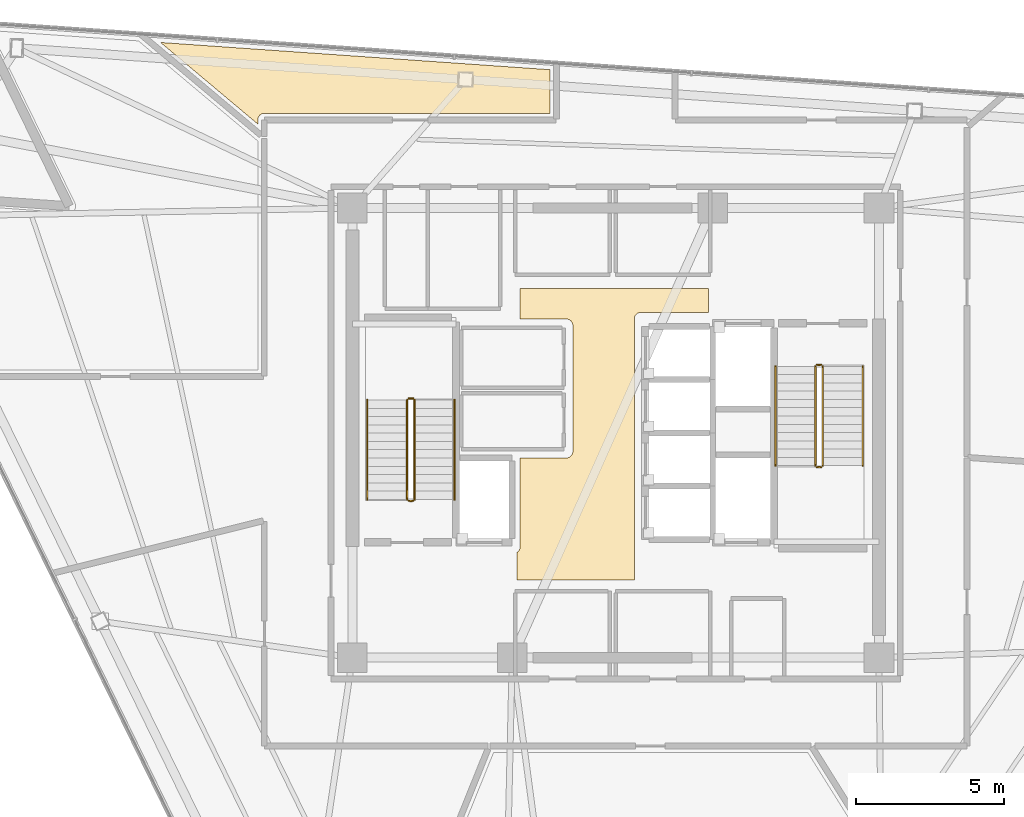
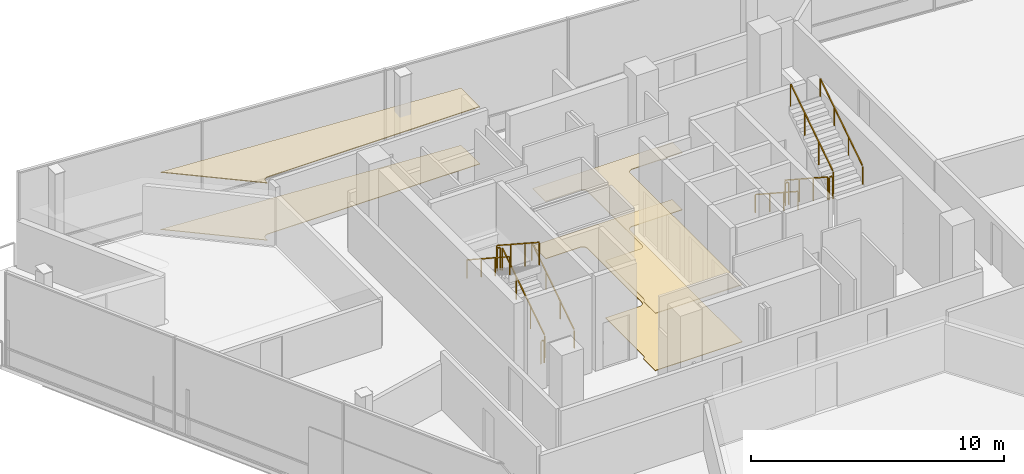
# One storey, part 13 of 13: 12 railings, 4 coverings.
"""IFC4 building model written with IfcOpenShell, lengths in metres."""

from ifc_helpers import new_model, si_unit, direction, frame, origin, origin_2d, place, context, subcontext, project, spatial, polyline, rectangle, outline, extrude, material, layer, layer_set, type_object, element, save


model = new_model("IFC4")

# Units and contexts
model_context = context("Model", 3, precision=1e-05, world=origin(), true_north=direction((0.0, 1.0)))
body_context = subcontext(model_context, "Body", "Model", "MODEL_VIEW")
ifc_project = project(units=[si_unit("LENGTHUNIT", "METRE"), si_unit("AREAUNIT", "SQUARE_METRE"), si_unit("VOLUMEUNIT", "CUBIC_METRE"), si_unit("PLANEANGLEUNIT", "RADIAN"), si_unit("MASSUNIT", "GRAM", prefix="KILO")], contexts=[model_context])

# Site, building, storey
site_placement = place(None, origin())
site = spatial("IfcSite", under=ifc_project, at=site_placement, CompositionType="ELEMENT")
building_placement = place(site_placement, origin())
building = spatial("IfcBuilding", under=site, at=building_placement, Name="Tharavind Bronze Gate", CompositionType="ELEMENT")
storey_placement = place(building_placement, frame((0.0, 0.0, 248.64990234375)))
storey = spatial("IfcBuildingStorey", under=building, at=storey_placement, Name="L64", CompositionType="ELEMENT", Elevation=248.64990234375)

# Coverings
ifc_material_1 = material(Name="Perforated Bronze Acoustic Panel", Category="bronze")
ifc_layer_1 = layer(ifc_material_1, 0.044921875)
ifc_layer_set_1 = layer_set([ifc_layer_1], Name="Perforated Bronze Acoustic Panel")
covering_type_1 = type_object("IfcCoveringType", Name="ACOUSTIC BRONZE BAFFLE CEILING", PredefinedType="CEILING", material=ifc_layer_set_1)
covering_1_placement = place(storey_placement, frame((0.0, 0.0, 2.75)))
element("IfcCovering", 1, at=covering_1_placement, inside=storey, type_object=covering_type_1, Name="L64-C-LL suspended ceiling", PredefinedType="CEILING", context=body_context, shape_type="SweptSolid", body=[
    extrude(outline(polyline([(-3.330078125, -4.97998046875), (0.6298828125, -4.97998046875), (0.6298828125, 3.85009765625), (0.631103515625, 3.87158203125), (0.63427734375, 3.892822265625), (0.639404296875, 3.913818359375), (0.646728515625, 3.93408203125), (0.656005859375, 3.95361328125), (0.6669921875, 3.97216796875), (0.679931640625, 3.989501953125), (0.6943359375, 4.005615234375), (0.71044921875, 4.02001953125), (0.727783203125, 4.032958984375), (0.746337890625, 4.0439453125), (0.765869140625, 4.05322265625), (0.7861328125, 4.060546875), (0.80712890625, 4.06591796875), (0.828369140625, 4.06884765625), (0.85009765625, 4.070068359375), (3.1298828125, 4.070068359375), (3.1298828125, 4.8798828125), (-3.22998046875, 4.8798828125), (-3.22998046875, 3.85009765625), (-1.669921875, 3.85009765625), (-1.6484375, 3.848876953125), (-1.627197265625, 3.845703125), (-1.606201171875, 3.840576171875), (-1.585693359375, 3.833251953125), (-1.56640625, 3.823974609375), (-1.5478515625, 3.81298828125), (-1.530517578125, 3.800048828125), (-1.514404296875, 3.78564453125), (-1.5, 3.76953125), (-1.487060546875, 3.752197265625), (-1.47607421875, 3.733642578125), (-1.466796875, 3.714111328125), (-1.45947265625, 3.69384765625), (-1.4541015625, 3.6728515625), (-1.451171875, 3.651611328125), (-1.449951171875, 3.6298828125), (-1.449951171875, 1.43994140625), (-1.450439453125, 1.429931640625), (-1.449951171875, 1.419921875), (-1.449951171875, -0.6298828125), (-1.451171875, -0.651611328125), (-1.4541015625, -0.6728515625), (-1.45947265625, -0.69384765625), (-1.466796875, -0.714111328125), (-1.47607421875, -0.733642578125), (-1.487060546875, -0.752197265625), (-1.5, -0.76953125), (-1.514404296875, -0.78564453125), (-1.530517578125, -0.800048828125), (-1.5478515625, -0.81298828125), (-1.56640625, -0.823974609375), (-1.585693359375, -0.833251953125), (-1.606201171875, -0.840576171875), (-1.627197265625, -0.845703125), (-1.6484375, -0.848876953125), (-1.669921875, -0.85009765625), (-3.22998046875, -0.85009765625), (-3.22998046875, -3.85009765625), (-3.231201171875, -3.87158203125), (-3.234130859375, -3.892822265625), (-3.239501953125, -3.913818359375), (-3.24658203125, -3.93408203125), (-3.256103515625, -3.95361328125), (-3.26708984375, -3.97216796875), (-3.27978515625, -3.989501953125), (-3.29443359375, -4.005615234375), (-3.310302734375, -4.02001953125), (-3.327880859375, -4.032958984375), (-3.330078125, -4.0341796875), (-3.330078125, -4.97998046875)])), origin(), (0.0, 0.0, 1.0), 0.03515625),
])
covering_2_placement = place(storey_placement, frame((0.0, 0.0, 2.75)))
element("IfcCovering", 2, at=covering_2_placement, inside=storey, type_object=covering_type_1, Name="L64-RM-02 suspended ceiling", PredefinedType="CEILING", context=body_context, shape_type="SweptSolid", body=[
    extrude(outline(polyline([(-12.10009765625, 10.440185546875), (-12.10009765625, 10.579345703125), (-12.099609375, 10.590087890625), (-12.099609375, 10.5908203125), (-12.09765625, 10.6123046875), (-12.093505859375, 10.63330078125), (-12.087158203125, 10.654052734375), (-12.078857421875, 10.674072265625), (-12.068603515625, 10.693115234375), (-12.056640625, 10.7109375), (-12.04296875, 10.727783203125), (-12.027587890625, 10.742919921875), (-12.010986328125, 10.756591796875), (-11.9931640625, 10.768798828125), (-11.97412109375, 10.77880859375), (-11.9541015625, 10.787109375), (-11.933349609375, 10.79345703125), (-11.912353515625, 10.797607421875), (-11.890869140625, 10.7998046875), (-11.89013671875, 10.7998046875), (-11.87939453125, 10.800048828125), (-2.219970703125, 10.800048828125), (-2.219970703125, 12.276611328125), (-15.385498046875, 13.197021484375), (-12.10009765625, 10.440185546875)])), origin(), (0.0, 0.0, 1.0), 0.03515625),
])
ifc_material_2 = material(Name="Engineered Oak & Carpet Tile", Category="wood")
ifc_layer_2 = layer(ifc_material_2, 0.02490234375)
ifc_layer_set_2 = layer_set([ifc_layer_2], Name="Engineered Oak & Carpet Tile")
covering_type_2 = type_object("IfcCoveringType", Name="ENGINEERED TIMBER FLOORING", PredefinedType="FLOORING", material=ifc_layer_set_2)
covering_3_placement = place(storey_placement, origin())
element("IfcCovering", 3, at=covering_3_placement, inside=storey, type_object=covering_type_2, Name="L64-RM-02 floor finish", PredefinedType="FLOORING", context=body_context, shape_type="SweptSolid", body=[
    extrude(outline(polyline([(-12.10009765625, 10.440185546875), (-12.10009765625, 10.579345703125), (-12.099609375, 10.590087890625), (-12.099609375, 10.5908203125), (-12.09765625, 10.6123046875), (-12.093505859375, 10.63330078125), (-12.087158203125, 10.654052734375), (-12.078857421875, 10.674072265625), (-12.068603515625, 10.693115234375), (-12.056640625, 10.7109375), (-12.04296875, 10.727783203125), (-12.027587890625, 10.742919921875), (-12.010986328125, 10.756591796875), (-11.9931640625, 10.768798828125), (-11.97412109375, 10.77880859375), (-11.9541015625, 10.787109375), (-11.933349609375, 10.79345703125), (-11.912353515625, 10.797607421875), (-11.890869140625, 10.7998046875), (-11.89013671875, 10.7998046875), (-11.87939453125, 10.800048828125), (-2.219970703125, 10.800048828125), (-2.219970703125, 12.276611328125), (-15.385498046875, 13.197021484375), (-12.10009765625, 10.440185546875)])), origin(), (0.0, 0.0, 1.0), 0.025146484375),
])
ifc_material_3 = material(Name="Honed Travertine Limestone", Category="masonry")
ifc_layer_3 = layer(ifc_material_3, 0.030029296875)
ifc_layer_set_3 = layer_set([ifc_layer_3], Name="Honed Travertine Limestone")
covering_type_3 = type_object("IfcCoveringType", Name="HONED LIMESTONE FLOORING", PredefinedType="FLOORING", material=ifc_layer_set_3)
covering_4_placement = place(storey_placement, origin())
element("IfcCovering", 4, at=covering_4_placement, inside=storey, type_object=covering_type_3, Name="L64-C-LL floor finish", PredefinedType="FLOORING", context=body_context, shape_type="SweptSolid", body=[
    extrude(outline(polyline([(-3.330078125, -4.97998046875), (0.6298828125, -4.97998046875), (0.6298828125, 3.85009765625), (0.631103515625, 3.87158203125), (0.63427734375, 3.892822265625), (0.639404296875, 3.913818359375), (0.646728515625, 3.93408203125), (0.656005859375, 3.95361328125), (0.6669921875, 3.97216796875), (0.679931640625, 3.989501953125), (0.6943359375, 4.005615234375), (0.71044921875, 4.02001953125), (0.727783203125, 4.032958984375), (0.746337890625, 4.0439453125), (0.765869140625, 4.05322265625), (0.7861328125, 4.060546875), (0.80712890625, 4.06591796875), (0.828369140625, 4.06884765625), (0.85009765625, 4.070068359375), (3.1298828125, 4.070068359375), (3.1298828125, 4.8798828125), (-3.22998046875, 4.8798828125), (-3.22998046875, 3.85009765625), (-1.669921875, 3.85009765625), (-1.6484375, 3.848876953125), (-1.627197265625, 3.845703125), (-1.606201171875, 3.840576171875), (-1.585693359375, 3.833251953125), (-1.56640625, 3.823974609375), (-1.5478515625, 3.81298828125), (-1.530517578125, 3.800048828125), (-1.514404296875, 3.78564453125), (-1.5, 3.76953125), (-1.487060546875, 3.752197265625), (-1.47607421875, 3.733642578125), (-1.466796875, 3.714111328125), (-1.45947265625, 3.69384765625), (-1.4541015625, 3.6728515625), (-1.451171875, 3.651611328125), (-1.449951171875, 3.6298828125), (-1.449951171875, 1.43994140625), (-1.450439453125, 1.429931640625), (-1.449951171875, 1.419921875), (-1.449951171875, -0.6298828125), (-1.451171875, -0.651611328125), (-1.4541015625, -0.6728515625), (-1.45947265625, -0.69384765625), (-1.466796875, -0.714111328125), (-1.47607421875, -0.733642578125), (-1.487060546875, -0.752197265625), (-1.5, -0.76953125), (-1.514404296875, -0.78564453125), (-1.530517578125, -0.800048828125), (-1.5478515625, -0.81298828125), (-1.56640625, -0.823974609375), (-1.585693359375, -0.833251953125), (-1.606201171875, -0.840576171875), (-1.627197265625, -0.845703125), (-1.6484375, -0.848876953125), (-1.669921875, -0.85009765625), (-3.22998046875, -0.85009765625), (-3.22998046875, -3.85009765625), (-3.231201171875, -3.87158203125), (-3.234130859375, -3.892822265625), (-3.239501953125, -3.913818359375), (-3.24658203125, -3.93408203125), (-3.256103515625, -3.95361328125), (-3.26708984375, -3.97216796875), (-3.27978515625, -3.989501953125), (-3.29443359375, -4.005615234375), (-3.310302734375, -4.02001953125), (-3.327880859375, -4.032958984375), (-3.330078125, -4.0341796875), (-3.330078125, -4.97998046875)])), origin(), (0.0, 0.0, 1.0), 0.025146484375),
])

# Railings
ifc_material_4 = material(Name="Brushed Bronze Alloy", Category="metal")
railing_type_1 = type_object("IfcRailingType", Name="STAIR BRONZE HANDRAIL 900", PredefinedType="HANDRAIL", material=ifc_material_4)
railing_1_placement = place(storey_placement, frame((-5.449951171875, -2.25, 0.182861328125)))
element("IfcRailing", 5, at=railing_1_placement, inside=storey, type_object=railing_type_1, Name="L64 ST1 stair handrail 1", PredefinedType="HANDRAIL", context=body_context, shape_type="SweptSolid", body=[
    extrude(rectangle(XDim=0.048095703125, YDim=0.048095703125, at=origin_2d()), frame((0.0, 0.02685546875, 0.893310546875), z_axis=(0.0, 0.837523422355, 0.546401424785), x_axis=(-1.0, 0.0, 0.0)), (0.0, 0.0, 1.0), 3.947998046875),
    extrude(rectangle(XDim=0.0400390625, YDim=0.0400390625, at=origin_2d()), origin(), (0.0, 0.0, 1.0), 0.847900390625),
    extrude(rectangle(XDim=0.0400390625, YDim=0.0400390625, at=origin_2d()), frame((0.0, 1.1201171875, 0.730712890625)), (0.0, 0.0, 1.0), 0.847900390625),
    extrude(rectangle(XDim=0.0400390625, YDim=0.0400390625, at=origin_2d()), frame((0.0, 2.239990234375, 1.46142578125)), (0.0, 0.0, 1.0), 0.847900390625),
    extrude(rectangle(XDim=0.0400390625, YDim=0.0400390625, at=origin_2d()), frame((0.0, 3.360107421875, 2.192138671875)), (0.0, 0.0, 1.0), 0.847900390625),
])
for number, where, name in (
    (6, (-8.39990234375, 1.110107421875, 2.557861328125), "L64 ST1 stair handrail 2"),
    (7, (5.39990234375, 2.25, 0.182861328125), "L64 ST2 stair handrail 1"),
):
    element("IfcRailing", number, at=place(storey_placement, frame(where)), inside=storey, type_object=railing_type_1, Name=name, PredefinedType="HANDRAIL", context=body_context, shape_type="SweptSolid", body=[
        extrude(rectangle(XDim=0.048095703125, YDim=0.048095703125, at=origin_2d()), frame((0.0, -0.02685546875, 0.893310546875), z_axis=(0.0, -0.837523422355, 0.546401424785), x_axis=(1.0, 0.0, 0.0)), (0.0, 0.0, 1.0), 3.947998046875),
        extrude(rectangle(XDim=0.0400390625, YDim=0.0400390625, at=origin_2d()), origin(), (0.0, 0.0, 1.0), 0.847900390625),
        extrude(rectangle(XDim=0.0400390625, YDim=0.0400390625, at=origin_2d()), frame((0.0, -1.1201171875, 0.730712890625)), (0.0, 0.0, 1.0), 0.847900390625),
        extrude(rectangle(XDim=0.0400390625, YDim=0.0400390625, at=origin_2d()), frame((0.0, -2.239990234375, 1.46142578125)), (0.0, 0.0, 1.0), 0.847900390625),
        extrude(rectangle(XDim=0.0400390625, YDim=0.0400390625, at=origin_2d()), frame((0.0, -3.360107421875, 2.192138671875)), (0.0, 0.0, 1.0), 0.847900390625),
    ])
railing_2_placement = place(storey_placement, frame((8.35009765625, -1.110107421875, 2.557861328125)))
element("IfcRailing", 8, at=railing_2_placement, inside=storey, type_object=railing_type_1, Name="L64 ST2 stair handrail 2", PredefinedType="HANDRAIL", context=body_context, shape_type="SweptSolid", body=[
    extrude(rectangle(XDim=0.048095703125, YDim=0.048095703125, at=origin_2d()), frame((0.0, 0.02685546875, 0.893310546875), z_axis=(0.0, 0.837523422355, 0.546401424785), x_axis=(-1.0, 0.0, 0.0)), (0.0, 0.0, 1.0), 3.947998046875),
    extrude(rectangle(XDim=0.0400390625, YDim=0.0400390625, at=origin_2d()), origin(), (0.0, 0.0, 1.0), 0.847900390625),
    extrude(rectangle(XDim=0.0400390625, YDim=0.0400390625, at=origin_2d()), frame((0.0, 1.1201171875, 0.730712890625)), (0.0, 0.0, 1.0), 0.847900390625),
    extrude(rectangle(XDim=0.0400390625, YDim=0.0400390625, at=origin_2d()), frame((0.0, 2.239990234375, 1.46142578125)), (0.0, 0.0, 1.0), 0.847900390625),
    extrude(rectangle(XDim=0.0400390625, YDim=0.0400390625, at=origin_2d()), frame((0.0, 3.360107421875, 2.192138671875)), (0.0, 0.0, 1.0), 0.847900390625),
])
railing_type_2 = type_object("IfcRailingType", Name="STAIR WELL GUARD RAILING 1120", PredefinedType="GUARDRAIL", material=ifc_material_4)
railing_3_placement = place(storey_placement, frame((-6.800048828125, -2.25, 0.182861328125)))
element("IfcRailing", 9, at=railing_3_placement, inside=storey, type_object=railing_type_2, Name="L64 ST1 stair guard 1", PredefinedType="GUARDRAIL", context=body_context, shape_type="SweptSolid", body=[
    extrude(rectangle(XDim=0.048095703125, YDim=0.048095703125, at=origin_2d()), frame((0.0, 0.02685546875, 1.113525390625), z_axis=(0.0, 0.837523422355, 0.546401424785), x_axis=(-1.0, 0.0, 0.0)), (0.0, 0.0, 1.0), 3.947998046875),
    extrude(rectangle(XDim=0.0400390625, YDim=0.0400390625, at=origin_2d()), origin(), (0.0, 0.0, 1.0), 1.068115234375),
    extrude(rectangle(XDim=0.0400390625, YDim=0.0400390625, at=origin_2d()), frame((0.0, 1.1201171875, 0.730712890625)), (0.0, 0.0, 1.0), 1.068115234375),
    extrude(rectangle(XDim=0.0400390625, YDim=0.0400390625, at=origin_2d()), frame((0.0, 2.239990234375, 1.46142578125)), (0.0, 0.0, 1.0), 1.068115234375),
    extrude(rectangle(XDim=0.0400390625, YDim=0.0400390625, at=origin_2d()), frame((0.0, 3.360107421875, 2.192138671875)), (0.0, 0.0, 1.0), 1.068115234375),
])
railing_4_placement = place(storey_placement, frame((-6.85009765625, 1.159912109375, 2.375)))
element("IfcRailing", 10, at=railing_4_placement, inside=storey, type_object=railing_type_2, Name="L64 ST1 stair guard 2", PredefinedType="GUARDRAIL", context=body_context, shape_type="SweptSolid", body=[
    extrude(rectangle(XDim=0.048095703125, YDim=0.048095703125, at=origin_2d()), frame((-0.031982421875, 0.0, 1.09619140625), z_axis=(-1.0, 0.0, 0.0), x_axis=(0.0, -1.0, 0.0)), (0.0, 0.0, 1.0), 0.0859375),
    extrude(rectangle(XDim=0.0400390625, YDim=0.0400390625, at=origin_2d()), origin(), (0.0, 0.0, 1.0), 1.068115234375),
    extrude(rectangle(XDim=0.0400390625, YDim=0.0400390625, at=origin_2d()), frame((-0.14990234375, 0.0, 0.0)), (0.0, 0.0, 1.0), 1.068115234375),
])
railing_5_placement = place(storey_placement, frame((-7.050048828125, 1.110107421875, 2.557861328125)))
element("IfcRailing", 11, at=railing_5_placement, inside=storey, type_object=railing_type_2, Name="L64 ST1 stair guard 3", PredefinedType="GUARDRAIL", context=body_context, shape_type="SweptSolid", body=[
    extrude(rectangle(XDim=0.048095703125, YDim=0.048095703125, at=origin_2d()), frame((0.0, -0.02685546875, 1.113525390625), z_axis=(0.0, -0.837523422355, 0.546401424785), x_axis=(1.0, 0.0, 0.0)), (0.0, 0.0, 1.0), 3.947998046875),
    extrude(rectangle(XDim=0.0400390625, YDim=0.0400390625, at=origin_2d()), origin(), (0.0, 0.0, 1.0), 1.068115234375),
    extrude(rectangle(XDim=0.0400390625, YDim=0.0400390625, at=origin_2d()), frame((0.0, -1.1201171875, 0.730712890625)), (0.0, 0.0, 1.0), 1.068115234375),
    extrude(rectangle(XDim=0.0400390625, YDim=0.0400390625, at=origin_2d()), frame((0.0, -2.239990234375, 1.46142578125)), (0.0, 0.0, 1.0), 1.068115234375),
    extrude(rectangle(XDim=0.0400390625, YDim=0.0400390625, at=origin_2d()), frame((0.0, -3.360107421875, 2.192138671875)), (0.0, 0.0, 1.0), 1.068115234375),
])
railing_6_placement = place(storey_placement, frame((-6.85009765625, -2.300048828125, 0.0)))
element("IfcRailing", 12, at=railing_6_placement, inside=storey, type_object=railing_type_2, Name="L64 ST1 stair guard 4", PredefinedType="GUARDRAIL", context=body_context, shape_type="SweptSolid", body=[
    extrude(rectangle(XDim=0.048095703125, YDim=0.048095703125, at=origin_2d()), frame((-0.031982421875, 0.0, 1.09619140625), z_axis=(-1.0, 0.0, 0.0), x_axis=(0.0, -1.0, 0.0)), (0.0, 0.0, 1.0), 0.0859375),
    extrude(rectangle(XDim=0.0400390625, YDim=0.0400390625, at=origin_2d()), origin(), (0.0, 0.0, 1.0), 1.068115234375),
    extrude(rectangle(XDim=0.0400390625, YDim=0.0400390625, at=origin_2d()), frame((-0.14990234375, 0.0, 0.0)), (0.0, 0.0, 1.0), 1.068115234375),
])
railing_7_placement = place(storey_placement, frame((6.75, 2.25, 0.182861328125)))
element("IfcRailing", 13, at=railing_7_placement, inside=storey, type_object=railing_type_2, Name="L64 ST2 stair guard 1", PredefinedType="GUARDRAIL", context=body_context, shape_type="SweptSolid", body=[
    extrude(rectangle(XDim=0.048095703125, YDim=0.048095703125, at=origin_2d()), frame((0.0, -0.02685546875, 1.113525390625), z_axis=(0.0, -0.837523422355, 0.546401424785), x_axis=(1.0, 0.0, 0.0)), (0.0, 0.0, 1.0), 3.947998046875),
    extrude(rectangle(XDim=0.0400390625, YDim=0.0400390625, at=origin_2d()), origin(), (0.0, 0.0, 1.0), 1.068115234375),
    extrude(rectangle(XDim=0.0400390625, YDim=0.0400390625, at=origin_2d()), frame((0.0, -1.1201171875, 0.730712890625)), (0.0, 0.0, 1.0), 1.068115234375),
    extrude(rectangle(XDim=0.0400390625, YDim=0.0400390625, at=origin_2d()), frame((0.0, -2.239990234375, 1.46142578125)), (0.0, 0.0, 1.0), 1.068115234375),
    extrude(rectangle(XDim=0.0400390625, YDim=0.0400390625, at=origin_2d()), frame((0.0, -3.360107421875, 2.192138671875)), (0.0, 0.0, 1.0), 1.068115234375),
])
railing_8_placement = place(storey_placement, frame((6.800048828125, -1.159912109375, 2.375)))
element("IfcRailing", 14, at=railing_8_placement, inside=storey, type_object=railing_type_2, Name="L64 ST2 stair guard 2", PredefinedType="GUARDRAIL", context=body_context, shape_type="SweptSolid", body=[
    extrude(rectangle(XDim=0.048095703125, YDim=0.048095703125, at=origin_2d()), frame((0.031982421875, 0.0, 1.09619140625), z_axis=(1.0, 0.0, 0.0), x_axis=(0.0, 1.0, 0.0)), (0.0, 0.0, 1.0), 0.0859375),
    extrude(rectangle(XDim=0.0400390625, YDim=0.0400390625, at=origin_2d()), origin(), (0.0, 0.0, 1.0), 1.068115234375),
    extrude(rectangle(XDim=0.0400390625, YDim=0.0400390625, at=origin_2d()), frame((0.14990234375, 0.0, 0.0)), (0.0, 0.0, 1.0), 1.068115234375),
])
railing_9_placement = place(storey_placement, frame((7.0, -1.110107421875, 2.557861328125)))
element("IfcRailing", 15, at=railing_9_placement, inside=storey, type_object=railing_type_2, Name="L64 ST2 stair guard 3", PredefinedType="GUARDRAIL", context=body_context, shape_type="SweptSolid", body=[
    extrude(rectangle(XDim=0.048095703125, YDim=0.048095703125, at=origin_2d()), frame((0.0, 0.02685546875, 1.113525390625), z_axis=(0.0, 0.837523422355, 0.546401424785), x_axis=(-1.0, 0.0, 0.0)), (0.0, 0.0, 1.0), 3.947998046875),
    extrude(rectangle(XDim=0.0400390625, YDim=0.0400390625, at=origin_2d()), origin(), (0.0, 0.0, 1.0), 1.068115234375),
    extrude(rectangle(XDim=0.0400390625, YDim=0.0400390625, at=origin_2d()), frame((0.0, 1.1201171875, 0.730712890625)), (0.0, 0.0, 1.0), 1.068115234375),
    extrude(rectangle(XDim=0.0400390625, YDim=0.0400390625, at=origin_2d()), frame((0.0, 2.239990234375, 1.46142578125)), (0.0, 0.0, 1.0), 1.068115234375),
    extrude(rectangle(XDim=0.0400390625, YDim=0.0400390625, at=origin_2d()), frame((0.0, 3.360107421875, 2.192138671875)), (0.0, 0.0, 1.0), 1.068115234375),
])
railing_10_placement = place(storey_placement, frame((6.800048828125, 2.300048828125, 0.0)))
element("IfcRailing", 16, at=railing_10_placement, inside=storey, type_object=railing_type_2, Name="L64 ST2 stair guard 4", PredefinedType="GUARDRAIL", context=body_context, shape_type="SweptSolid", body=[
    extrude(rectangle(XDim=0.048095703125, YDim=0.048095703125, at=origin_2d()), frame((0.031982421875, 0.0, 1.09619140625), z_axis=(1.0, 0.0, 0.0), x_axis=(0.0, 1.0, 0.0)), (0.0, 0.0, 1.0), 0.0859375),
    extrude(rectangle(XDim=0.0400390625, YDim=0.0400390625, at=origin_2d()), origin(), (0.0, 0.0, 1.0), 1.068115234375),
    extrude(rectangle(XDim=0.0400390625, YDim=0.0400390625, at=origin_2d()), frame((0.14990234375, 0.0, 0.0)), (0.0, 0.0, 1.0), 1.068115234375),
])

save(model, "model.ifc")
